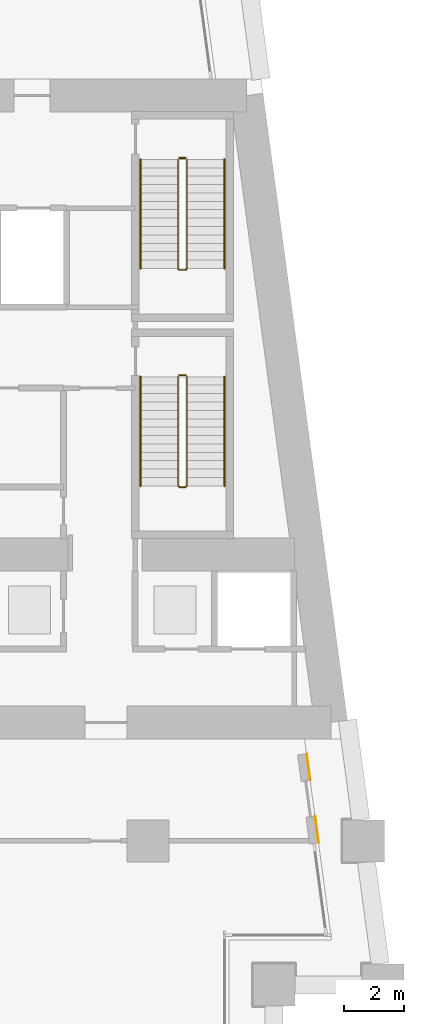
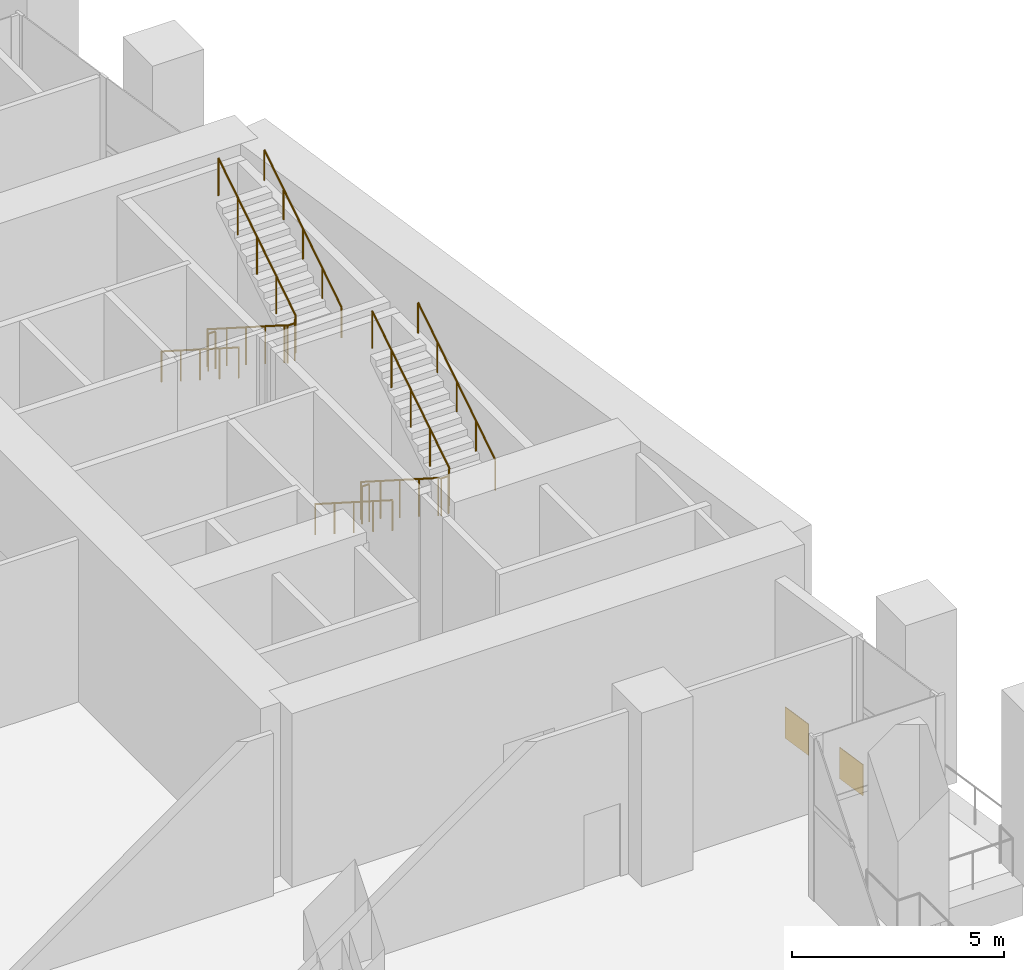
# One storey, part 13 of 15: 8 railings, 2 coverings.
"""IFC4 building model written with IfcOpenShell, lengths in metres."""

from ifc_helpers import new_model, si_unit, direction, frame, origin, origin_2d, place, context, subcontext, project, spatial, rectangle, circle, extrude, material, layer, layer_set, type_object, element, save


model = new_model("IFC4")

# Units and contexts
model_context = context("Model", 3, precision=1e-05, world=origin(), true_north=direction((0.0, 1.0)))
body_context = subcontext(model_context, "Body", "Model", "MODEL_VIEW")
ifc_project = project(units=[si_unit("LENGTHUNIT", "METRE"), si_unit("AREAUNIT", "SQUARE_METRE"), si_unit("VOLUMEUNIT", "CUBIC_METRE"), si_unit("PLANEANGLEUNIT", "RADIAN"), si_unit("MASSUNIT", "GRAM", prefix="KILO")], contexts=[model_context])

# Site, building, storey
site_placement = place(None, origin())
site = spatial("IfcSite", under=ifc_project, at=site_placement, CompositionType="ELEMENT")
building_placement = place(site_placement, origin())
building = spatial("IfcBuilding", under=site, at=building_placement, Name="Candeia Pilgrim Tower and Theatre", CompositionType="ELEMENT")
storey_placement = place(building_placement, frame((0.0, 0.0, 86.0)))
storey = spatial("IfcBuildingStorey", under=building, at=storey_placement, Name="L19", CompositionType="ELEMENT", Elevation=86.0)

# Coverings
ifc_material_1 = material(Name="Glazed ceramic tile red")
ifc_layer = layer(ifc_material_1, 0.02001953125)
ifc_layer_set = layer_set([ifc_layer], Name="Glazed ceramic tile red")
covering_type = type_object("IfcCoveringType", Name="Glazed ceramic tile red", PredefinedType="CLADDING", material=ifc_layer_set)
for number, where, z_axis, x_axis, name in (
    (1, (140.03369140625, 107.380615234375, 0.0), (0.0, 0.0, 1.0), (-0.133412012145, 0.991060661622, 0.0), "Tile cladding red L19"),
    (2, (139.753662109375, 109.4619140625, 0.0), (0.0, 0.0, 1.0), (-0.133412012145, 0.991060661622, 0.0), "Tile cladding red L19"),
):
    element("IfcCovering", number, at=place(storey_placement, frame(where, z_axis=z_axis, x_axis=x_axis)), inside=storey, type_object=covering_type, Name=name, PredefinedType="CLADDING", context=body_context, shape_type="SweptSolid", body=[
        extrude(rectangle(XDim=0.89990234375, YDim=0.02001953125, at=origin_2d()), origin(), (0.0, 0.0, 1.0), 0.89990234375),
    ])

# Railings
ifc_material_2 = material(Name="Stainless steel balustrade", Category="steel")
railing_type_1 = type_object("IfcRailingType", Name="RL-GUARD-1100", PredefinedType="GUARDRAIL", material=ifc_material_2)
railing_1_placement = place(storey_placement, frame((135.39794921875, 122.47509765625, 0.178466796875)))
element("IfcRailing", 3, at=railing_1_placement, inside=storey, type_object=railing_type_1, Name="L19 ST3 stair guard 1", PredefinedType="GUARDRAIL", context=body_context, shape_type="SweptSolid", body=[
    extrude(circle(Radius=0.02392578125, at=origin_2d()), frame((0.0, 0.0, 1.076171875), z_axis=(0.0, -0.843127859045, 0.537713132908), x_axis=(1.0, 0.0, 0.0)), (0.0, 0.0, 1.0), 4.3173828125),
    extrude(circle(Radius=0.02392578125, at=origin_2d()), frame((0.0, -3.64013671875, 3.3974609375), z_axis=(0.707106781187, -0.707106781187, 0.0), x_axis=(0.707106781187, 0.707106781187, 0.0)), (0.0, 0.0, 1.0), 0.07080078125),
    extrude(circle(Radius=0.02392578125, at=origin_2d()), frame((0.050048828125, -3.690185546875, 3.3974609375), z_axis=(1.0, 0.0, 0.0), x_axis=(0.0, 1.0, 0.0)), (0.0, 0.0, 1.0), 0.199951171875),
    extrude(circle(Radius=0.02392578125, at=origin_2d()), frame((0.25, -3.690185546875, 3.3974609375), z_axis=(0.260684529273, 0.260684529273, 0.929562882432), x_axis=(-0.707106781187, 0.707106781187, 0.0)), (0.0, 0.0, 1.0), 0.19189453125),
    extrude(circle(Radius=0.02392578125, at=origin_2d()), frame((0.300048828125, -3.64013671875, 3.576171875), z_axis=(0.0, 0.843127859045, 0.537713132908), x_axis=(-1.0, 0.0, 0.0)), (0.0, 0.0, 1.0), 4.3173828125),
    extrude(circle(Radius=0.02099609375, at=origin_2d()), origin(), (0.0, 0.0, 1.0), 1.052001953125),
    extrude(circle(Radius=0.02099609375, at=origin_2d()), frame((0.0, -0.91015625, 0.580322265625)), (0.0, 0.0, 1.0), 1.052001953125),
    extrude(circle(Radius=0.02099609375, at=origin_2d()), frame((0.0, -1.820068359375, 1.16064453125)), (0.0, 0.0, 1.0), 1.052001953125),
    extrude(circle(Radius=0.02099609375, at=origin_2d()), frame((0.0, -2.72998046875, 1.7412109375)), (0.0, 0.0, 1.0), 1.052001953125),
    extrude(circle(Radius=0.02099609375, at=origin_2d()), frame((0.0, -3.64013671875, 2.321533203125)), (0.0, 0.0, 1.0), 1.052001953125),
    extrude(circle(Radius=0.02099609375, at=origin_2d()), frame((0.050048828125, -3.690185546875, 2.321533203125)), (0.0, 0.0, 1.0), 1.052001953125),
    extrude(circle(Radius=0.02099609375, at=origin_2d()), frame((0.25, -3.690185546875, 2.321533203125)), (0.0, 0.0, 1.0), 1.052001953125),
    extrude(circle(Radius=0.02099609375, at=origin_2d()), frame((0.300048828125, -3.64013671875, 2.5)), (0.0, 0.0, 1.0), 1.052001953125),
    extrude(circle(Radius=0.02099609375, at=origin_2d()), frame((0.300048828125, -2.72998046875, 3.080322265625)), (0.0, 0.0, 1.0), 1.052001953125),
    extrude(circle(Radius=0.02099609375, at=origin_2d()), frame((0.300048828125, -1.820068359375, 3.66064453125)), (0.0, 0.0, 1.0), 1.052001953125),
    extrude(circle(Radius=0.02099609375, at=origin_2d()), frame((0.300048828125, -0.91015625, 4.2412109375)), (0.0, 0.0, 1.0), 1.052001953125),
    extrude(circle(Radius=0.02099609375, at=origin_2d()), frame((0.300048828125, 0.0, 4.821533203125)), (0.0, 0.0, 1.0), 1.052001953125),
])
railing_2_placement = place(storey_placement, frame((135.447998046875, 122.52490234375, 0.0)))
element("IfcRailing", 4, at=railing_2_placement, inside=storey, type_object=railing_type_1, Name="L19 ST3 stair guard 2", PredefinedType="GUARDRAIL", context=body_context, shape_type="SweptSolid", body=[
    extrude(circle(Radius=0.02392578125, at=origin_2d()), frame((0.0, 0.0, 1.076171875), z_axis=(1.0, 0.0, 0.0), x_axis=(0.0, 1.0, 0.0)), (0.0, 0.0, 1.0), 0.199951171875),
    extrude(circle(Radius=0.02099609375, at=origin_2d()), origin(), (0.0, 0.0, 1.0), 1.052001953125),
    extrude(circle(Radius=0.02099609375, at=origin_2d()), frame((0.199951171875, 0.0, 0.0)), (0.0, 0.0, 1.0), 1.052001953125),
])
railing_3_placement = place(storey_placement, frame((135.39794921875, 129.72509765625, 0.178466796875)))
element("IfcRailing", 5, at=railing_3_placement, inside=storey, type_object=railing_type_1, Name="L19 ST4 stair guard 1", PredefinedType="GUARDRAIL", context=body_context, shape_type="SweptSolid", body=[
    extrude(circle(Radius=0.02392578125, at=origin_2d()), frame((0.0, 0.0, 1.076171875), z_axis=(0.0, -0.843127859045, 0.537713132908), x_axis=(1.0, 0.0, 0.0)), (0.0, 0.0, 1.0), 4.3173828125),
    extrude(circle(Radius=0.02392578125, at=origin_2d()), frame((0.0, -3.64013671875, 3.3974609375), z_axis=(0.707106781187, -0.707106781187, 0.0), x_axis=(0.707106781187, 0.707106781187, 0.0)), (0.0, 0.0, 1.0), 0.07080078125),
    extrude(circle(Radius=0.02392578125, at=origin_2d()), frame((0.050048828125, -3.690185546875, 3.3974609375), z_axis=(1.0, 0.0, 0.0), x_axis=(0.0, 1.0, 0.0)), (0.0, 0.0, 1.0), 0.199951171875),
    extrude(circle(Radius=0.02392578125, at=origin_2d()), frame((0.25, -3.690185546875, 3.3974609375), z_axis=(0.260684529273, 0.260684529273, 0.929562882432), x_axis=(-0.707106781187, 0.707106781187, 0.0)), (0.0, 0.0, 1.0), 0.19189453125),
    extrude(circle(Radius=0.02392578125, at=origin_2d()), frame((0.300048828125, -3.64013671875, 3.576171875), z_axis=(0.0, 0.843127859045, 0.537713132908), x_axis=(-1.0, 0.0, 0.0)), (0.0, 0.0, 1.0), 4.3173828125),
    extrude(circle(Radius=0.02099609375, at=origin_2d()), origin(), (0.0, 0.0, 1.0), 1.052001953125),
    extrude(circle(Radius=0.02099609375, at=origin_2d()), frame((0.0, -0.91015625, 0.580322265625)), (0.0, 0.0, 1.0), 1.052001953125),
    extrude(circle(Radius=0.02099609375, at=origin_2d()), frame((0.0, -1.820068359375, 1.16064453125)), (0.0, 0.0, 1.0), 1.052001953125),
    extrude(circle(Radius=0.02099609375, at=origin_2d()), frame((0.0, -2.72998046875, 1.7412109375)), (0.0, 0.0, 1.0), 1.052001953125),
    extrude(circle(Radius=0.02099609375, at=origin_2d()), frame((0.0, -3.64013671875, 2.321533203125)), (0.0, 0.0, 1.0), 1.052001953125),
    extrude(circle(Radius=0.02099609375, at=origin_2d()), frame((0.050048828125, -3.690185546875, 2.321533203125)), (0.0, 0.0, 1.0), 1.052001953125),
    extrude(circle(Radius=0.02099609375, at=origin_2d()), frame((0.25, -3.690185546875, 2.321533203125)), (0.0, 0.0, 1.0), 1.052001953125),
    extrude(circle(Radius=0.02099609375, at=origin_2d()), frame((0.300048828125, -3.64013671875, 2.5)), (0.0, 0.0, 1.0), 1.052001953125),
    extrude(circle(Radius=0.02099609375, at=origin_2d()), frame((0.300048828125, -2.72998046875, 3.080322265625)), (0.0, 0.0, 1.0), 1.052001953125),
    extrude(circle(Radius=0.02099609375, at=origin_2d()), frame((0.300048828125, -1.820068359375, 3.66064453125)), (0.0, 0.0, 1.0), 1.052001953125),
    extrude(circle(Radius=0.02099609375, at=origin_2d()), frame((0.300048828125, -0.91015625, 4.2412109375)), (0.0, 0.0, 1.0), 1.052001953125),
    extrude(circle(Radius=0.02099609375, at=origin_2d()), frame((0.300048828125, 0.0, 4.821533203125)), (0.0, 0.0, 1.0), 1.052001953125),
])
railing_4_placement = place(storey_placement, frame((135.447998046875, 129.77490234375, 0.0)))
element("IfcRailing", 6, at=railing_4_placement, inside=storey, type_object=railing_type_1, Name="L19 ST4 stair guard 2", PredefinedType="GUARDRAIL", context=body_context, shape_type="SweptSolid", body=[
    extrude(circle(Radius=0.02392578125, at=origin_2d()), frame((0.0, 0.0, 1.076171875), z_axis=(1.0, 0.0, 0.0), x_axis=(0.0, 1.0, 0.0)), (0.0, 0.0, 1.0), 0.199951171875),
    extrude(circle(Radius=0.02099609375, at=origin_2d()), origin(), (0.0, 0.0, 1.0), 1.052001953125),
    extrude(circle(Radius=0.02099609375, at=origin_2d()), frame((0.199951171875, 0.0, 0.0)), (0.0, 0.0, 1.0), 1.052001953125),
])
ifc_material_3 = material(Name="Stainless steel handrail", Category="steel")
railing_type_2 = type_object("IfcRailingType", Name="RL-HANDRAIL-900", PredefinedType="HANDRAIL", material=ifc_material_3)
railing_5_placement = place(storey_placement, frame((134.14794921875, 122.47509765625, 0.178466796875)))
element("IfcRailing", 7, at=railing_5_placement, inside=storey, type_object=railing_type_2, Name="L19 ST3 stair handrail 1", PredefinedType="HANDRAIL", context=body_context, shape_type="SweptSolid", body=[
    extrude(circle(Radius=0.02392578125, at=origin_2d()), frame((0.0, 0.0, 0.8759765625), z_axis=(0.0, -0.843127859045, 0.537713132908), x_axis=(1.0, 0.0, 0.0)), (0.0, 0.0, 1.0), 4.3173828125),
    extrude(circle(Radius=0.02099609375, at=origin_2d()), origin(), (0.0, 0.0, 1.0), 0.851806640625),
    extrude(circle(Radius=0.02099609375, at=origin_2d()), frame((0.0, -0.91015625, 0.580322265625)), (0.0, 0.0, 1.0), 0.851806640625),
    extrude(circle(Radius=0.02099609375, at=origin_2d()), frame((0.0, -1.820068359375, 1.16064453125)), (0.0, 0.0, 1.0), 0.851806640625),
    extrude(circle(Radius=0.02099609375, at=origin_2d()), frame((0.0, -2.72998046875, 1.7412109375)), (0.0, 0.0, 1.0), 0.851806640625),
    extrude(circle(Radius=0.02099609375, at=origin_2d()), frame((0.0, -3.64013671875, 2.321533203125)), (0.0, 0.0, 1.0), 0.851806640625),
])
railing_6_placement = place(storey_placement, frame((136.947998046875, 118.8349609375, 2.678466796875)))
element("IfcRailing", 8, at=railing_6_placement, inside=storey, type_object=railing_type_2, Name="L19 ST3 stair handrail 2", PredefinedType="HANDRAIL", context=body_context, shape_type="SweptSolid", body=[
    extrude(circle(Radius=0.02392578125, at=origin_2d()), frame((0.0, 0.0, 0.8759765625), z_axis=(0.0, 0.843127859045, 0.537713132908), x_axis=(-1.0, 0.0, 0.0)), (0.0, 0.0, 1.0), 4.3173828125),
    extrude(circle(Radius=0.02099609375, at=origin_2d()), origin(), (0.0, 0.0, 1.0), 0.851806640625),
    extrude(circle(Radius=0.02099609375, at=origin_2d()), frame((0.0, 0.91015625, 0.580322265625)), (0.0, 0.0, 1.0), 0.851806640625),
    extrude(circle(Radius=0.02099609375, at=origin_2d()), frame((0.0, 1.820068359375, 1.16064453125)), (0.0, 0.0, 1.0), 0.851806640625),
    extrude(circle(Radius=0.02099609375, at=origin_2d()), frame((0.0, 2.72998046875, 1.7412109375)), (0.0, 0.0, 1.0), 0.851806640625),
    extrude(circle(Radius=0.02099609375, at=origin_2d()), frame((0.0, 3.64013671875, 2.321533203125)), (0.0, 0.0, 1.0), 0.851806640625),
])
railing_7_placement = place(storey_placement, frame((134.14794921875, 129.72509765625, 0.178466796875)))
element("IfcRailing", 9, at=railing_7_placement, inside=storey, type_object=railing_type_2, Name="L19 ST4 stair handrail 1", PredefinedType="HANDRAIL", context=body_context, shape_type="SweptSolid", body=[
    extrude(circle(Radius=0.02392578125, at=origin_2d()), frame((0.0, 0.0, 0.8759765625), z_axis=(0.0, -0.843127859045, 0.537713132908), x_axis=(1.0, 0.0, 0.0)), (0.0, 0.0, 1.0), 4.3173828125),
    extrude(circle(Radius=0.02099609375, at=origin_2d()), origin(), (0.0, 0.0, 1.0), 0.851806640625),
    extrude(circle(Radius=0.02099609375, at=origin_2d()), frame((0.0, -0.91015625, 0.580322265625)), (0.0, 0.0, 1.0), 0.851806640625),
    extrude(circle(Radius=0.02099609375, at=origin_2d()), frame((0.0, -1.820068359375, 1.16064453125)), (0.0, 0.0, 1.0), 0.851806640625),
    extrude(circle(Radius=0.02099609375, at=origin_2d()), frame((0.0, -2.72998046875, 1.7412109375)), (0.0, 0.0, 1.0), 0.851806640625),
    extrude(circle(Radius=0.02099609375, at=origin_2d()), frame((0.0, -3.64013671875, 2.321533203125)), (0.0, 0.0, 1.0), 0.851806640625),
])
railing_8_placement = place(storey_placement, frame((136.947998046875, 126.0849609375, 2.678466796875)))
element("IfcRailing", 10, at=railing_8_placement, inside=storey, type_object=railing_type_2, Name="L19 ST4 stair handrail 2", PredefinedType="HANDRAIL", context=body_context, shape_type="SweptSolid", body=[
    extrude(circle(Radius=0.02392578125, at=origin_2d()), frame((0.0, 0.0, 0.8759765625), z_axis=(0.0, 0.843127859045, 0.537713132908), x_axis=(-1.0, 0.0, 0.0)), (0.0, 0.0, 1.0), 4.3173828125),
    extrude(circle(Radius=0.02099609375, at=origin_2d()), origin(), (0.0, 0.0, 1.0), 0.851806640625),
    extrude(circle(Radius=0.02099609375, at=origin_2d()), frame((0.0, 0.91015625, 0.580322265625)), (0.0, 0.0, 1.0), 0.851806640625),
    extrude(circle(Radius=0.02099609375, at=origin_2d()), frame((0.0, 1.820068359375, 1.16064453125)), (0.0, 0.0, 1.0), 0.851806640625),
    extrude(circle(Radius=0.02099609375, at=origin_2d()), frame((0.0, 2.72998046875, 1.7412109375)), (0.0, 0.0, 1.0), 0.851806640625),
    extrude(circle(Radius=0.02099609375, at=origin_2d()), frame((0.0, 3.64013671875, 2.321533203125)), (0.0, 0.0, 1.0), 0.851806640625),
])

save(model, "model.ifc")
